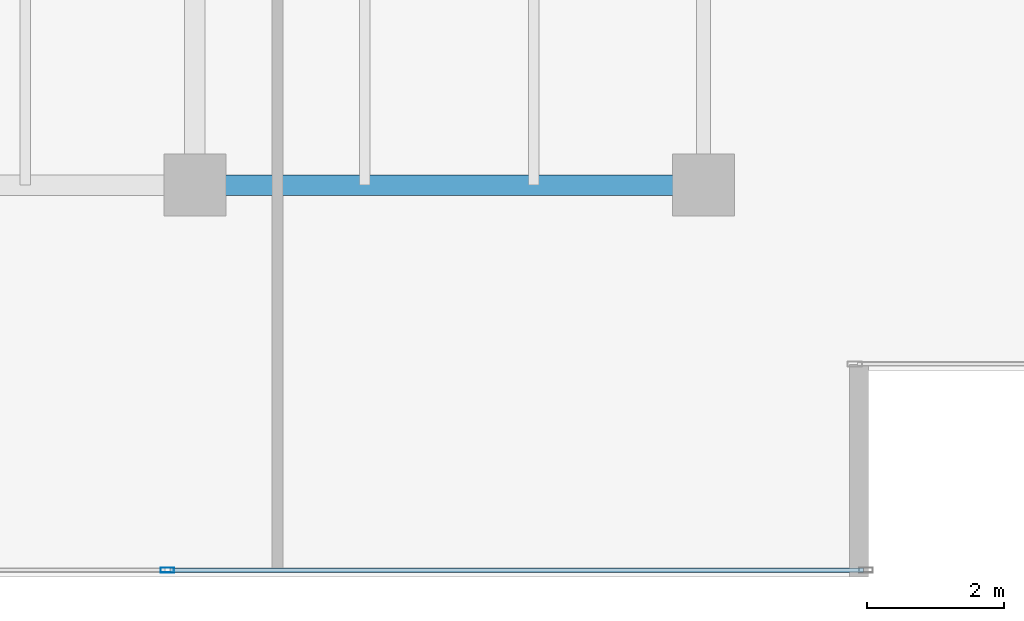
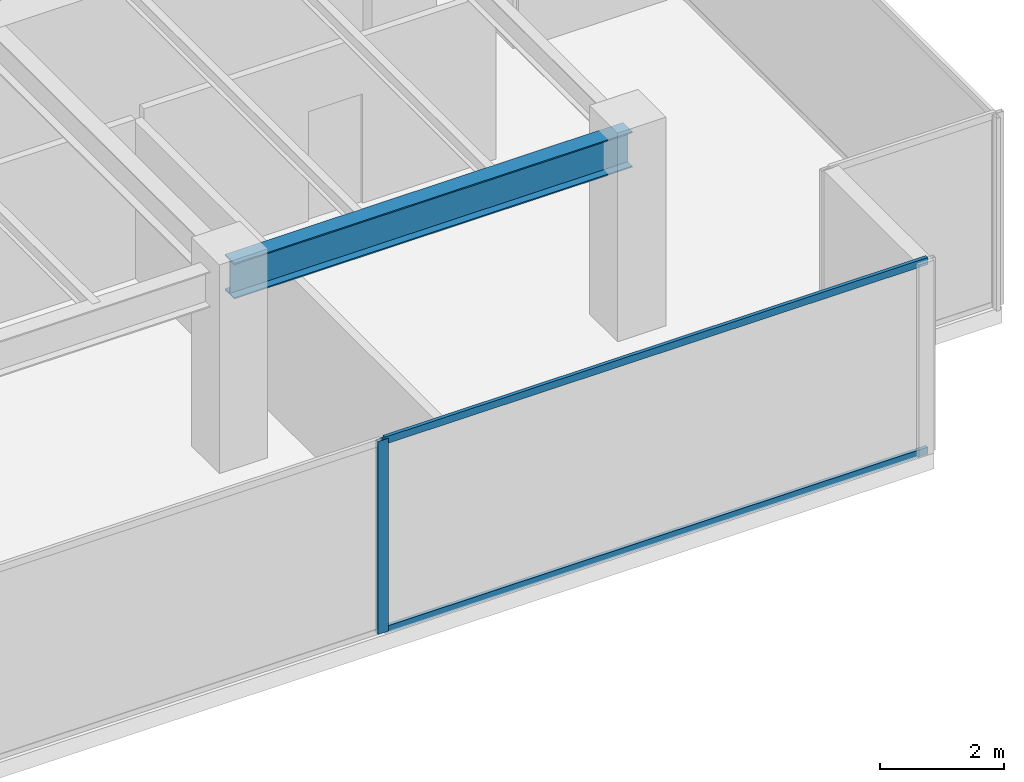
# One storey, part 12 of 30: 3 members, 1 beam, 1 element without a shape of its own.
"""IFC4 building model written with IfcOpenShell, lengths in metres."""

from ifc_helpers import new_model, si_unit, direction, frame, origin, origin_2d, place, context, subcontext, project, spatial, hollow_rectangle, i_section, extrude, source, transform, mapped, material, layer, layer_set, material_profile, profile_set, type_object, type_shapes, element, aggregate, save


model = new_model("IFC4")

# Units and contexts
model_context = context("Model", 3, precision=1e-05, world=origin(), true_north=direction((0.0, 1.0)))
body_context = subcontext(model_context, "Body", "Model", "MODEL_VIEW")
ifc_project = project(units=[si_unit("LENGTHUNIT", "METRE"), si_unit("AREAUNIT", "SQUARE_METRE"), si_unit("VOLUMEUNIT", "CUBIC_METRE"), si_unit("PLANEANGLEUNIT", "RADIAN"), si_unit("MASSUNIT", "GRAM", prefix="KILO")], contexts=[model_context])

# Site, building, storey
site_placement = place(None, origin())
site = spatial("IfcSite", under=ifc_project, at=site_placement, CompositionType="ELEMENT")
building_placement = place(site_placement, origin())
building = spatial("IfcBuilding", under=site, at=building_placement, Name="Haelvirn Gate Laboratories", CompositionType="ELEMENT")
storey_placement = place(building_placement, frame((0.0, 0.0, 129.699951171875)))
storey = spatial("IfcBuildingStorey", under=building, at=storey_placement, Name="L31", CompositionType="ELEMENT", Elevation=129.699951171875)

# Beam
ifc_material_1 = material(Name="Steel SM355", Category="steel")
ifc_material_profile_1 = material_profile(ifc_material_1, i_section(OverallWidth=0.300048828125, OverallDepth=0.699951171875, WebThickness=0.012939453125, FlangeThickness=0.02392578125, at=origin_2d()), Name="H-700x300x13x24")
ifc_profile_set_1 = profile_set([ifc_material_profile_1], Name="Steel SM355")
beam_type = type_object("IfcBeamType", Name="BM-G-700", PredefinedType="BEAM", material=ifc_profile_set_1)
shared_shape_1 = source(origin(), body_context, "Body", "SweptSolid", [
    extrude(i_section(OverallWidth=0.300048828125, OverallDepth=0.699951171875, WebThickness=0.012939453125, FlangeThickness=0.02392578125, at=origin_2d()), origin(), (0.0, 0.0, 1.0), 7.39990234375),
])
type_shapes(beam_type, [shared_shape_1])
beam_placement = place(storey_placement, frame((60.0, 7.0, 3.43994140625), z_axis=(1.0, 0.0, 0.0), x_axis=(0.0, 1.0, 0.0)))
element("IfcBeam", 1, at=beam_placement, inside=storey, type_object=beam_type, Name="L31 Primary Girder Y7.0 (60.0-67.4)", PredefinedType="BEAM", context=body_context, shape_type="MappedRepresentation", body=[
    mapped(shared_shape_1, transform((0.0, 0.0, 0.0), scale=1.0)),
])

# Curtain wall, members
ifc_material_2 = material(Name="Anodised bronze unitised aluminium & triple low-E glass", Category="aluminium")
ifc_layer = layer(ifc_material_2, 0.179931640625, Name="CW-SYS-3")
ifc_layer_set = layer_set([ifc_layer], Name="Anodised bronze unitised aluminium & triple low-E glass")
curtain_wall_type = type_object("IfcCurtainWallType", Name="CW-SYS-3", PredefinedType="NOTDEFINED", material=ifc_layer_set)
curtain_wall_placement = place(storey_placement, origin())
curtain_wall = element("IfcCurtainWall", 2, at=curtain_wall_placement, inside=storey, type_object=curtain_wall_type, Name="L31 Unitised Curtain Wall CW-L31-P0-E04-1", PredefinedType="NOTDEFINED")
ifc_material_3 = material(Name="Extruded aluminium 6063-T6 (anodised bronze)", Category="aluminium")
ifc_material_profile_2 = material_profile(ifc_material_3, hollow_rectangle(XDim=0.06494140625, YDim=0.139892578125, WallThickness=0.00390625, at=origin_2d()), Name="CWT-140x65x4")
ifc_profile_set_2 = profile_set([ifc_material_profile_2], Name="Extruded aluminium 6063-T6 (anodised bronze)")
member_type_1 = type_object("IfcMemberType", Name="CWT-T140", PredefinedType="USERDEFINED", material=ifc_profile_set_2)
shared_shape_2 = source(origin(), body_context, "Body", "SweptSolid", [
    extrude(hollow_rectangle(XDim=0.06494140625, YDim=0.139892578125, WallThickness=0.00390625, at=origin_2d()), origin(), (0.0, 0.0, 1.0), 10.087646484375),
])
type_shapes(member_type_1, [shared_shape_2])
member_1_placement = place(storey_placement, frame((59.637451171875, 1.39990234375, 0.032470703125), z_axis=(1.0, 0.0, 0.0), x_axis=(0.0, 1.0, 0.0)))
member_1 = element("IfcMember", 3, at=member_1_placement, type_object=member_type_1, Name="CW3 transom 2.1", ObjectType="TRANSOM", PredefinedType="USERDEFINED", context=body_context, shape_type="MappedRepresentation", body=[
    mapped(shared_shape_2, transform((0.0, 0.0, 0.0), scale=1.0)),
])
member_2_placement = place(storey_placement, frame((59.637451171875, 1.39990234375, 3.757568359375), z_axis=(1.0, 0.0, 0.0), x_axis=(0.0, 1.0, 0.0)))
member_2 = element("IfcMember", 4, at=member_2_placement, type_object=member_type_1, Name="CW3 transom 2.2", ObjectType="TRANSOM", PredefinedType="USERDEFINED", context=body_context, shape_type="MappedRepresentation", body=[
    mapped(shared_shape_2, transform((0.0, 0.0, 0.0), scale=1.0)),
])
ifc_material_profile_3 = material_profile(ifc_material_3, hollow_rectangle(XDim=0.074951171875, YDim=0.199951171875, WallThickness=0.0048828125, at=origin_2d()), Name="CWM-200x75x5")
ifc_profile_set_3 = profile_set([ifc_material_profile_3], Name="Extruded aluminium 6063-T6 (anodised bronze)")
member_type_2 = type_object("IfcMemberType", Name="CWM-T200", PredefinedType="MULLION", material=ifc_profile_set_3)
shared_shape_3 = source(origin(), body_context, "Body", "SweptSolid", [
    extrude(hollow_rectangle(XDim=0.074951171875, YDim=0.199951171875, WallThickness=0.0048828125, at=origin_2d()), origin(), (0.0, 0.0, 1.0), 3.7900390625),
])
type_shapes(member_type_2, [shared_shape_3])
member_3_placement = place(storey_placement, frame((59.60009765625, 1.39990234375, 0.0), z_axis=(0.0, 0.0, 1.0), x_axis=(0.0, 1.0, 0.0)))
member_3 = element("IfcMember", 5, at=member_3_placement, type_object=member_type_2, Name="CW3 mullion 2", PredefinedType="MULLION", context=body_context, shape_type="MappedRepresentation", body=[
    mapped(shared_shape_3, transform((0.0, 0.0, 0.0), scale=1.0)),
])
aggregate(curtain_wall, [member_3, member_1, member_2])

save(model, "model.ifc")
